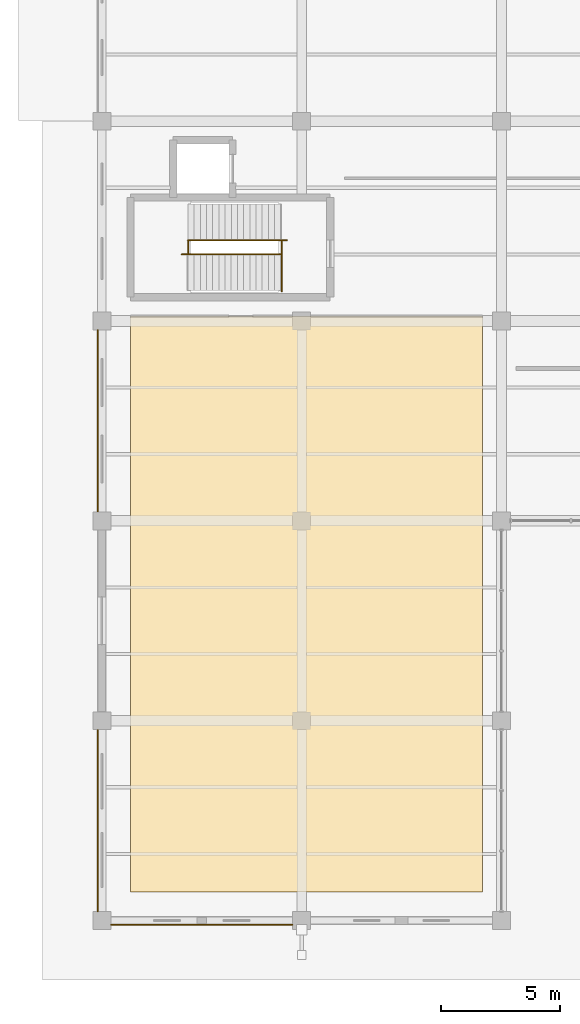
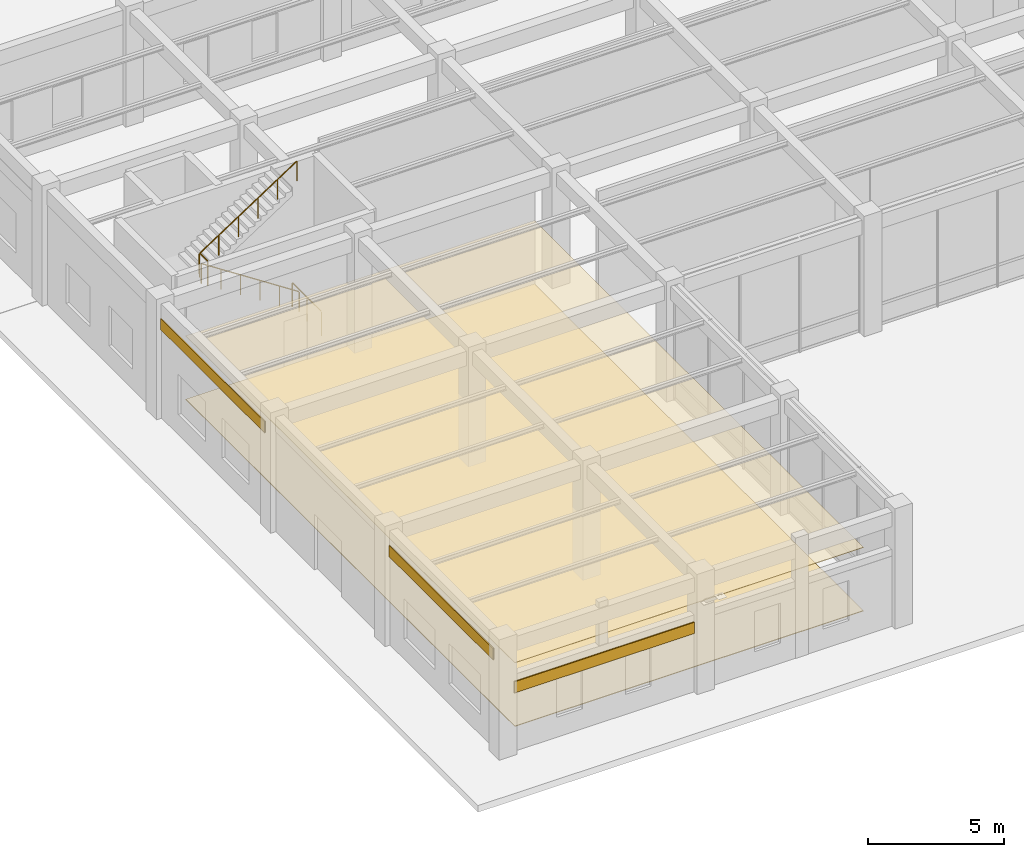
# One storey, part 143 of 157: 5 coverings, 4 railings.
"""IFC4 building model written with IfcOpenShell, lengths in metres."""

from ifc_helpers import new_model, si_unit, direction, frame, origin, origin_2d, place, context, subcontext, project, spatial, polyline, circle, outline, extrude, material, layer, layer_set, type_object, element, save


model = new_model("IFC4")

# Units and contexts
model_context = context("Model", 3, precision=1e-05, world=origin(), true_north=direction((0.0, 1.0)))
body_context = subcontext(model_context, "Body", "Model", "MODEL_VIEW")
ifc_project = project(units=[si_unit("LENGTHUNIT", "METRE"), si_unit("AREAUNIT", "SQUARE_METRE"), si_unit("VOLUMEUNIT", "CUBIC_METRE"), si_unit("PLANEANGLEUNIT", "RADIAN"), si_unit("MASSUNIT", "GRAM", prefix="KILO"), si_unit("THERMODYNAMICTEMPERATUREUNIT", "KELVIN"), si_unit("POWERUNIT", "WATT")], contexts=[model_context])

# Site, building, storey
site_placement = place(None, origin())
site = spatial("IfcSite", under=ifc_project, at=site_placement, CompositionType="ELEMENT")
building_placement = place(site_placement, origin())
building = spatial("IfcBuilding", under=site, at=building_placement, Name="Darbajah Civic Hall", CompositionType="ELEMENT")
storey_placement = place(building_placement, origin())
storey = spatial("IfcBuildingStorey", under=building, at=storey_placement, Name="L00", CompositionType="ELEMENT", Elevation=0.0)

# Railings
ifc_material_1 = material(Name="Brushed Bronze Stainless Steel", Category="steel")
railing_type_1 = type_object("IfcRailingType", Name="Brushed Bronze Handrail", PredefinedType="HANDRAIL", material=ifc_material_1)
railing_1_placement = place(storey_placement, frame((7.52001953125, 28.0, 0.168701171875)))
element("IfcRailing", 1, at=railing_1_placement, inside=storey, type_object=railing_type_1, Name="ST10 L00 lower flight handrail", PredefinedType="HANDRAIL", context=body_context, shape_type="SweptSolid", body=[
    extrude(circle(Radius=0.02392578125, at=origin_2d()), frame((-0.02294921875, 0.0, 0.910888671875), z_axis=(-0.837079509808, 0.0, 0.547081250145), x_axis=(0.0, -1.0, 0.0)), (0.0, 0.0, 1.0), 4.9150390625),
    extrude(circle(Radius=0.02099609375, at=origin_2d()), origin(), (0.0, 0.0, 1.0), 0.867919921875),
    extrude(circle(Radius=0.02099609375, at=origin_2d()), frame((-0.83203125, 0.0, 0.543701171875)), (0.0, 0.0, 1.0), 0.867919921875),
    extrude(circle(Radius=0.02099609375, at=origin_2d()), frame((-1.6640625, 0.0, 1.08740234375)), (0.0, 0.0, 1.0), 0.867919921875),
    extrude(circle(Radius=0.02099609375, at=origin_2d()), frame((-2.495849609375, 0.0, 1.63134765625)), (0.0, 0.0, 1.0), 0.867919921875),
    extrude(circle(Radius=0.02099609375, at=origin_2d()), frame((-3.327880859375, 0.0, 2.175048828125)), (0.0, 0.0, 1.0), 0.867919921875),
    extrude(circle(Radius=0.02099609375, at=origin_2d()), frame((-4.159912109375, 0.0, 2.71875)), (0.0, 0.0, 1.0), 0.867919921875),
])
railing_2_placement = place(storey_placement, frame((3.6201171875, 28.60009765625, 2.86865234375)))
element("IfcRailing", 2, at=railing_2_placement, inside=storey, type_object=railing_type_1, Name="ST10 L00 upper flight handrail", PredefinedType="HANDRAIL", context=body_context, shape_type="SweptSolid", body=[
    extrude(circle(Radius=0.02392578125, at=origin_2d()), frame((0.02294921875, 0.0, 0.910888671875), z_axis=(0.837079509808, 0.0, 0.547081250145), x_axis=(0.0, 1.0, 0.0)), (0.0, 0.0, 1.0), 4.9150390625),
    extrude(circle(Radius=0.02099609375, at=origin_2d()), origin(), (0.0, 0.0, 1.0), 0.867919921875),
    extrude(circle(Radius=0.02099609375, at=origin_2d()), frame((0.83203125, 0.0, 0.543701171875)), (0.0, 0.0, 1.0), 0.867919921875),
    extrude(circle(Radius=0.02099609375, at=origin_2d()), frame((1.6640625, 0.0, 1.08740234375)), (0.0, 0.0, 1.0), 0.867919921875),
    extrude(circle(Radius=0.02099609375, at=origin_2d()), frame((2.495849609375, 0.0, 1.63134765625)), (0.0, 0.0, 1.0), 0.867919921875),
    extrude(circle(Radius=0.02099609375, at=origin_2d()), frame((3.327880859375, 0.0, 2.175048828125)), (0.0, 0.0, 1.0), 0.867919921875),
    extrude(circle(Radius=0.02099609375, at=origin_2d()), frame((4.159912109375, 0.0, 2.71875)), (0.0, 0.0, 1.0), 0.867919921875),
])

# Covering
ifc_material_2 = material(Name="Honed Qatari Limestone Terrazzo", Category="masonry")
ifc_layer_1 = layer(ifc_material_2, 0.030029296875, Name="Honed Qatari Limestone Terrazzo")
ifc_layer_set_1 = layer_set([ifc_layer_1], Name="Honed Qatari Limestone Terrazzo")
covering_type_1 = type_object("IfcCoveringType", Name="Honed Qatari Limestone Terrazzo Flooring", PredefinedType="FLOORING", material=ifc_layer_set_1)
covering_1_placement = place(storey_placement, origin())
element("IfcCovering", 3, at=covering_1_placement, inside=storey, type_object=covering_type_1, Name="L00 stone terrazzo flooring L00-V5-01", PredefinedType="FLOORING", context=body_context, shape_type="SweptSolid", body=[
    extrude(outline(polyline([(1.199951171875, 1.199951171875), (16.0, 1.199951171875), (16.0, 25.39990234375), (1.199951171875, 25.39990234375), (1.199951171875, 1.199951171875)])), origin(), (0.0, 0.0, 1.0), 0.030029296875),
])

# Railings
ifc_material_3 = material(Name="Brushed Bronze and Laminated Safety Glass", Category="glass")
railing_type_2 = type_object("IfcRailingType", Name="Interior Guard Balustrade", PredefinedType="BALUSTRADE", material=ifc_material_3)
railing_3_placement = place(storey_placement, frame((7.570068359375, 26.449951171875, 0.0)))
element("IfcRailing", 4, at=railing_3_placement, inside=storey, type_object=railing_type_2, Name="ST10 L00 stair-well edge guard", PredefinedType="BALUSTRADE", context=body_context, shape_type="SweptSolid", body=[
    extrude(circle(Radius=0.02392578125, at=origin_2d()), frame((0.0, 0.02734375, 1.09619140625), z_axis=(0.0, 1.0, 0.0), x_axis=(-1.0, 0.0, 0.0)), (0.0, 0.0, 1.0), 2.095458984375),
    extrude(circle(Radius=0.02099609375, at=origin_2d()), origin(), (0.0, 0.0, 1.0), 1.068115234375),
    extrude(circle(Radius=0.02099609375, at=origin_2d()), frame((0.0, 1.0751953125, 0.0)), (0.0, 0.0, 1.0), 1.068115234375),
    extrude(circle(Radius=0.02099609375, at=origin_2d()), frame((0.0, 2.150146484375, 0.0)), (0.0, 0.0, 1.0), 1.068115234375),
])
railing_4_placement = place(storey_placement, frame((3.639892578125, 28.0, 2.699951171875)))
element("IfcRailing", 5, at=railing_4_placement, inside=storey, type_object=railing_type_2, Name="ST10 L00 landing well guard", PredefinedType="BALUSTRADE", context=body_context, shape_type="SweptSolid", body=[
    extrude(circle(Radius=0.02392578125, at=origin_2d()), frame((0.0, 0.02734375, 1.09619140625), z_axis=(0.0, 1.0, 0.0), x_axis=(-1.0, 0.0, 0.0)), (0.0, 0.0, 1.0), 0.54541015625),
    extrude(circle(Radius=0.02099609375, at=origin_2d()), origin(), (0.0, 0.0, 1.0), 1.068115234375),
    extrude(circle(Radius=0.02099609375, at=origin_2d()), frame((0.0, 0.60009765625, 0.0)), (0.0, 0.0, 1.0), 1.068115234375),
])

# Coverings
ifc_material_4 = material(Name="Qatari Desert Limestone Ashlar", Category="masonry")
ifc_layer_2 = layer(ifc_material_4, 0.044921875, Name="Qatari Desert Limestone Ashlar")
ifc_layer_set_2 = layer_set([ifc_layer_2], Name="Qatari Desert Limestone Ashlar")
covering_type_2 = type_object("IfcCoveringType", Name="Limestone Facade Cladding", PredefinedType="CLADDING", material=ifc_layer_set_2)
covering_2_placement = place(storey_placement, frame((0.0, 0.0, 2.64990234375)))
element("IfcCovering", 6, at=covering_2_placement, inside=storey, type_object=covering_type_2, Name="L00 stone frieze cladding EW-V5-L00-S0-B0", PredefinedType="CLADDING", context=body_context, shape_type="SweptSolid", body=[
    extrude(outline(polyline([(0.376953125, -0.155029296875), (8.02294921875, -0.155029296875), (8.02294921875, -0.199951171875), (0.376953125, -0.199951171875), (0.376953125, -0.155029296875)])), origin(), (0.0, 0.0, 1.0), 0.5),
])
covering_3_placement = place(storey_placement, frame((0.0, 0.0, 3.989990234375)))
element("IfcCovering", 7, at=covering_3_placement, inside=storey, type_object=covering_type_2, Name="L00 stone frieze cladding EW-V5-L00-S7-B2", PredefinedType="CLADDING", context=body_context, shape_type="SweptSolid", body=[
    extrude(outline(polyline([(-0.155029296875, 24.822998046875), (-0.155029296875, 17.177001953125), (-0.199951171875, 17.177001953125), (-0.199951171875, 24.822998046875), (-0.155029296875, 24.822998046875)])), origin(), (0.0, 0.0, 1.0), 0.5),
])
covering_4_placement = place(storey_placement, frame((0.0, 0.0, 3.989990234375)))
element("IfcCovering", 8, at=covering_4_placement, inside=storey, type_object=covering_type_2, Name="L00 stone frieze cladding EW-V5-L00-S7-B4", PredefinedType="CLADDING", context=body_context, shape_type="SweptSolid", body=[
    extrude(outline(polyline([(-0.155029296875, 8.02294921875), (-0.155029296875, 0.376953125), (-0.199951171875, 0.376953125), (-0.199951171875, 8.02294921875), (-0.155029296875, 8.02294921875)])), origin(), (0.0, 0.0, 1.0), 0.5),
])
ifc_material_5 = material(Name="Perforated Acoustic Gypsum Board")
ifc_layer_3 = layer(ifc_material_5, 0.02490234375, Name="Perforated Acoustic Gypsum Board")
ifc_layer_set_3 = layer_set([ifc_layer_3], Name="Perforated Acoustic Gypsum Board")
covering_type_3 = type_object("IfcCoveringType", Name="Perforated Acoustic Gypsum Ceiling", PredefinedType="CEILING", material=ifc_layer_set_3)
covering_5_placement = place(storey_placement, frame((0.0, 0.0, 2.85009765625)))
element("IfcCovering", 9, at=covering_5_placement, inside=storey, type_object=covering_type_3, Name="L00 acoustic suspended ceiling L00-V5-01", PredefinedType="CEILING", context=body_context, shape_type="SweptSolid", body=[
    extrude(outline(polyline([(1.199951171875, 1.199951171875), (16.0, 1.199951171875), (16.0, 25.39990234375), (1.199951171875, 25.39990234375), (1.199951171875, 1.199951171875)])), origin(), (0.0, 0.0, 1.0), 0.02490234375),
])

save(model, "model.ifc")
